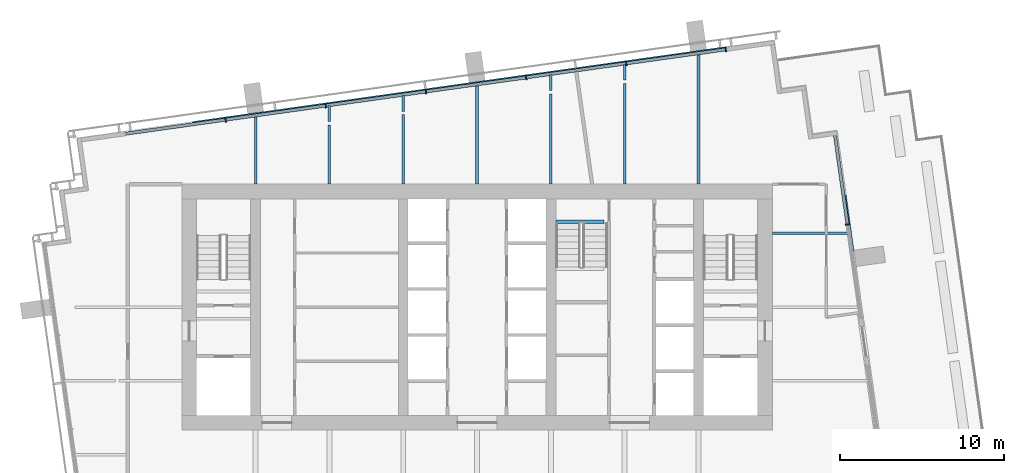
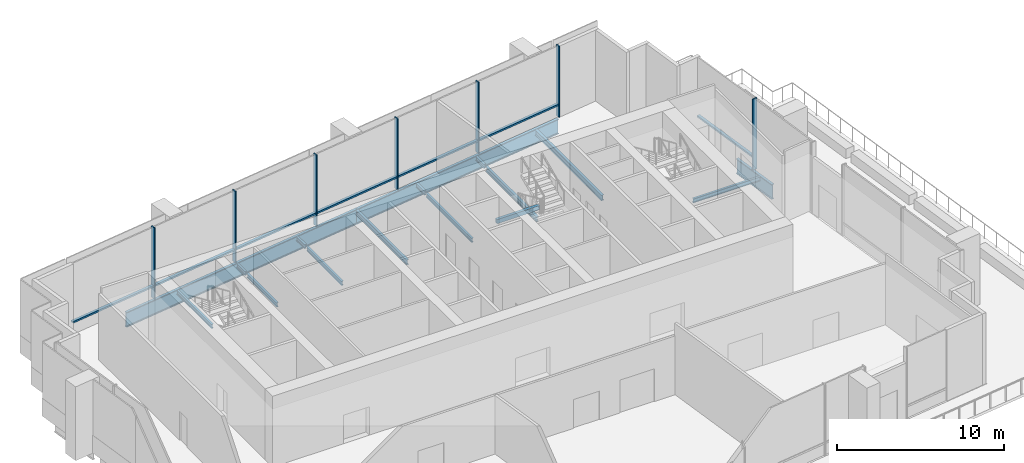
# One storey, part 4 of 14: 16 beams, 14 members, 2 elements without a shape of their own.
"""IFC4 building model written with IfcOpenShell, lengths in metres."""

from ifc_helpers import new_model, si_unit, direction, frame, origin, origin_2d, place, context, subcontext, project, spatial, rectangle, i_section, extrude, material, layer, layer_set, material_profile, profile_set, type_object, element, aggregate, save


model = new_model("IFC4")

# Units and contexts
model_context = context("Model", 3, precision=1e-05, world=origin(), true_north=direction((0.0, 1.0)))
body_context = subcontext(model_context, "Body", "Model", "MODEL_VIEW")
ifc_project = project(units=[si_unit("LENGTHUNIT", "METRE"), si_unit("AREAUNIT", "SQUARE_METRE"), si_unit("VOLUMEUNIT", "CUBIC_METRE"), si_unit("PLANEANGLEUNIT", "RADIAN"), si_unit("MASSUNIT", "GRAM", prefix="KILO")], contexts=[model_context])

# Site, building, storey
site_placement = place(None, origin())
site = spatial("IfcSite", under=ifc_project, at=site_placement, CompositionType="ELEMENT")
building_placement = place(site_placement, origin())
building = spatial("IfcBuilding", under=site, at=building_placement, Name="Rattan Terrace Tower", CompositionType="ELEMENT")
storey_placement = place(building_placement, frame((0.0, 0.0, 249.699951171875)))
storey = spatial("IfcBuildingStorey", under=building, at=storey_placement, Name="L57", CompositionType="ELEMENT", Elevation=249.699951171875)

# Beams
ifc_material_1 = material(Name="Concrete C40/50", Category="concrete")
ifc_material_profile_1 = material_profile(ifc_material_1, rectangle(XDim=0.199951171875, YDim=0.300048828125, at=origin_2d()), Name="RC 200x300")
ifc_profile_set_1 = profile_set([ifc_material_profile_1], Name="Concrete C40/50")
beam_type_1 = type_object("IfcBeamType", Name="Core landing beam RC 200x300", PredefinedType="BEAM", material=ifc_profile_set_1)
beam_1_placement = place(storey_placement, frame((4.800048828125, 5.199951171875, 2.35009765625), z_axis=(1.0, 0.0, 0.0), x_axis=(0.0, 1.0, 0.0)))
element("IfcBeam", 1, at=beam_1_placement, inside=storey, type_object=beam_type_1, Name="st-S3-L57 landing 2 edge beam", PredefinedType="BEAM", context=body_context, shape_type="SweptSolid", body=[
    extrude(rectangle(XDim=0.199951171875, YDim=0.300048828125, at=origin_2d()), origin(), (0.0, 0.0, 1.0), 2.949951171875),
])
ifc_material_2 = material(Name="Steel S460", Category="steel")
ifc_material_profile_2 = material_profile(ifc_material_2, i_section(OverallWidth=0.179931640625, OverallDepth=1.10009765625, WebThickness=0.01611328125, FlangeThickness=0.050048828125, at=origin_2d()), Name="PG 1100x180-16-50")
ifc_profile_set_2 = profile_set([ifc_material_profile_2], Name="Steel S460")
beam_type_2 = type_object("IfcBeamType", Name="Frame edge girder PG 1100x180-16-50", PredefinedType="SPANDREL", material=ifc_profile_set_2)
beam_2_placement = place(storey_placement, frame((22.89892578125, 3.39990234375, -0.75), z_axis=(-0.138859816372, 0.990312047487, 0.0), x_axis=(-0.990312047487, -0.138859816372, 0.0)))
element("IfcBeam", 2, at=beam_2_placement, inside=storey, type_object=beam_type_2, Name="gdr-L57-010", PredefinedType="SPANDREL", context=body_context, shape_type="SweptSolid", body=[
    extrude(i_section(OverallWidth=0.179931640625, OverallDepth=1.10009765625, WebThickness=0.01611328125, FlangeThickness=0.050048828125, at=origin_2d()), origin(), (0.0, 0.0, 1.0), 3.45654296875),
])
beam_3_placement = place(storey_placement, frame((-17.347900390625, 11.22900390625, -0.75), z_axis=(0.990275473288, 0.139120404699, 0.0), x_axis=(-0.139120404699, 0.990275473288, 0.0)))
element("IfcBeam", 3, at=beam_3_placement, inside=storey, type_object=beam_type_2, Name="gdr-L57-011", PredefinedType="SPANDREL", context=body_context, shape_type="SweptSolid", body=[
    extrude(i_section(OverallWidth=0.179931640625, OverallDepth=1.10009765625, WebThickness=0.01611328125, FlangeThickness=0.050048828125, at=origin_2d()), origin(), (0.0, 0.0, 1.0), 17.53125),
])
beam_4_placement = place(storey_placement, frame((15.18896484375, 15.801025390625, -0.75), z_axis=(-0.99026622182, -0.139186241857, 0.0), x_axis=(0.139186241857, -0.99026622182, 0.0)))
element("IfcBeam", 4, at=beam_4_placement, inside=storey, type_object=beam_type_2, Name="gdr-L57-012", PredefinedType="SPANDREL", context=body_context, shape_type="SweptSolid", body=[
    extrude(i_section(OverallWidth=0.179931640625, OverallDepth=1.10009765625, WebThickness=0.01611328125, FlangeThickness=0.050048828125, at=origin_2d()), origin(), (0.0, 0.0, 1.0), 15.3251953125),
])
ifc_material_3 = material(Name="Steel S355", Category="steel")
ifc_material_profile_3 = material_profile(ifc_material_3, i_section(OverallWidth=0.14990234375, OverallDepth=0.300048828125, WebThickness=0.007080078125, FlangeThickness=0.0107421875, FilletRadius=0.014892578125, at=origin_2d()), Name="IPE 300")
ifc_profile_set_3 = profile_set([ifc_material_profile_3], Name="Steel S355")
beam_type_3 = type_object("IfcBeamType", Name="Frame floor beam IPE 300", PredefinedType="JOIST", material=ifc_profile_set_3)
beam_5_placement = place(storey_placement, frame((18.0, 4.5, -0.349853515625), z_axis=(1.0, 0.0, 0.0), x_axis=(0.0, 1.0, 0.0)))
element("IfcBeam", 5, at=beam_5_placement, inside=storey, type_object=beam_type_3, Name="bm-L57-016", PredefinedType="JOIST", context=body_context, shape_type="SweptSolid", body=[
    extrude(i_section(OverallWidth=0.14990234375, OverallDepth=0.300048828125, WebThickness=0.007080078125, FlangeThickness=0.0107421875, FilletRadius=0.014892578125, at=origin_2d()), origin(), (0.0, 0.0, 1.0), 4.64306640625),
])
beam_6_placement = place(storey_placement, frame((-13.5, 7.5, -0.349853515625), z_axis=(0.0, 1.0, 0.0), x_axis=(-1.0, 0.0, 0.0)))
element("IfcBeam", 6, at=beam_6_placement, inside=storey, type_object=beam_type_3, Name="bm-L57-017", PredefinedType="JOIST", context=body_context, shape_type="SweptSolid", body=[
    extrude(i_section(OverallWidth=0.14990234375, OverallDepth=0.300048828125, WebThickness=0.007080078125, FlangeThickness=0.0107421875, FilletRadius=0.014892578125, at=origin_2d()), origin(), (0.0, 0.0, 1.0), 4.16796875),
])
beam_7_placement = place(storey_placement, frame((-9.0, 7.5, -0.349853515625), z_axis=(0.0, 1.0, 0.0), x_axis=(-1.0, 0.0, 0.0)))
element("IfcBeam", 7, at=beam_7_placement, inside=storey, type_object=beam_type_3, Name="bm-L57-018", PredefinedType="JOIST", context=body_context, shape_type="SweptSolid", body=[
    extrude(i_section(OverallWidth=0.14990234375, OverallDepth=0.300048828125, WebThickness=0.007080078125, FlangeThickness=0.0107421875, FilletRadius=0.014892578125, at=origin_2d()), origin(), (0.0, 0.0, 1.0), 3.60302734375),
])
beam_8_placement = place(storey_placement, frame((-4.5, 7.5, -0.349853515625), z_axis=(0.0, 1.0, 0.0), x_axis=(-1.0, 0.0, 0.0)))
element("IfcBeam", 8, at=beam_8_placement, inside=storey, type_object=beam_type_3, Name="bm-L57-019", PredefinedType="JOIST", context=body_context, shape_type="SweptSolid", body=[
    extrude(i_section(OverallWidth=0.14990234375, OverallDepth=0.300048828125, WebThickness=0.007080078125, FlangeThickness=0.0107421875, FilletRadius=0.014892578125, at=origin_2d()), origin(), (0.0, 0.0, 1.0), 4.235107421875),
])
beam_9_placement = place(storey_placement, frame((4.5, 7.5, -0.349853515625), z_axis=(0.0, 1.0, 0.0), x_axis=(-1.0, 0.0, 0.0)))
element("IfcBeam", 9, at=beam_9_placement, inside=storey, type_object=beam_type_3, Name="bm-L57-021", PredefinedType="JOIST", context=body_context, shape_type="SweptSolid", body=[
    extrude(i_section(OverallWidth=0.14990234375, OverallDepth=0.300048828125, WebThickness=0.007080078125, FlangeThickness=0.0107421875, FilletRadius=0.014892578125, at=origin_2d()), origin(), (0.0, 0.0, 1.0), 5.5),
])
for number, where, z_axis, x_axis, name in (
    (10, (-9.0, 11.304931640625, -0.349853515625), (0.0, 1.0, 0.0), (-1.0, 0.0, 0.0), "bm-L57-024"),
    (11, (-4.5, 11.93798828125, -0.349853515625), (0.0, 1.0, 0.0), (-1.0, 0.0, 0.0), "bm-L57-025"),
    (12, (4.5, 13.201904296875, -0.349853515625), (0.0, 1.0, 0.0), (-1.0, 0.0, 0.0), "bm-L57-026"),
    (13, (9.0, 13.8349609375, -0.349853515625), (0.0, 1.0, 0.0), (-1.0, 0.0, 0.0), "bm-L57-027"),
):
    element("IfcBeam", number, at=place(storey_placement, frame(where, z_axis=z_axis, x_axis=x_axis)), inside=storey, type_object=beam_type_3, Name=name, PredefinedType="JOIST", context=body_context, shape_type="SweptSolid", body=[
        extrude(i_section(OverallWidth=0.14990234375, OverallDepth=0.300048828125, WebThickness=0.007080078125, FlangeThickness=0.0107421875, FilletRadius=0.014892578125, at=origin_2d()), origin(), (0.0, 0.0, 1.0), 0.9951171875),
    ])
ifc_material_4 = material(Name="Steel S355", Category="steel")
ifc_material_profile_4 = material_profile(ifc_material_4, i_section(OverallWidth=0.169921875, OverallDepth=0.360107421875, WebThickness=0.008056640625, FlangeThickness=0.0126953125, FilletRadius=0.01806640625, at=origin_2d()), Name="IPE 360")
ifc_profile_set_4 = profile_set([ifc_material_profile_4], Name="Steel S355")
beam_type_4 = type_object("IfcBeamType", Name="Frame floor beam IPE 360", PredefinedType="JOIST", material=ifc_profile_set_4)
beam_10_placement = place(storey_placement, frame((0.0, 7.5, -0.3798828125), z_axis=(0.0, 1.0, 0.0), x_axis=(-1.0, 0.0, 0.0)))
element("IfcBeam", 14, at=beam_10_placement, inside=storey, type_object=beam_type_4, Name="bm-L57-020", PredefinedType="JOIST", context=body_context, shape_type="SweptSolid", body=[
    extrude(i_section(OverallWidth=0.169921875, OverallDepth=0.360107421875, WebThickness=0.008056640625, FlangeThickness=0.0126953125, FilletRadius=0.01806640625, at=origin_2d()), origin(), (0.0, 0.0, 1.0), 6.06298828125),
])
beam_11_placement = place(storey_placement, frame((9.0, 7.5, -0.3798828125), z_axis=(0.0, 1.0, 0.0), x_axis=(-1.0, 0.0, 0.0)))
element("IfcBeam", 15, at=beam_11_placement, inside=storey, type_object=beam_type_4, Name="bm-L57-022", PredefinedType="JOIST", context=body_context, shape_type="SweptSolid", body=[
    extrude(i_section(OverallWidth=0.169921875, OverallDepth=0.360107421875, WebThickness=0.008056640625, FlangeThickness=0.0126953125, FilletRadius=0.01806640625, at=origin_2d()), origin(), (0.0, 0.0, 1.0), 6.131103515625),
])
ifc_material_5 = material(Name="Steel S355", Category="steel")
ifc_material_profile_5 = material_profile(ifc_material_5, i_section(OverallWidth=0.179931640625, OverallDepth=0.39990234375, WebThickness=0.008544921875, FlangeThickness=0.013427734375, FilletRadius=0.02099609375, at=origin_2d()), Name="IPE 400")
ifc_profile_set_5 = profile_set([ifc_material_profile_5], Name="Steel S355")
beam_type_5 = type_object("IfcBeamType", Name="Frame floor beam IPE 400", PredefinedType="JOIST", material=ifc_profile_set_5)
beam_12_placement = place(storey_placement, frame((13.5, 7.5, -0.39990234375), z_axis=(0.0, 1.0, 0.0), x_axis=(-1.0, 0.0, 0.0)))
element("IfcBeam", 16, at=beam_12_placement, inside=storey, type_object=beam_type_5, Name="bm-L57-023", PredefinedType="JOIST", context=body_context, shape_type="SweptSolid", body=[
    extrude(i_section(OverallWidth=0.179931640625, OverallDepth=0.39990234375, WebThickness=0.008544921875, FlangeThickness=0.013427734375, FilletRadius=0.02099609375, at=origin_2d()), origin(), (0.0, 0.0, 1.0), 7.9599609375),
])

# Curtain wall, member
ifc_material_6 = material(Name="Steel fins, aluminium and glass", Category="steel")
ifc_layer = layer(ifc_material_6, 0.300048828125)
ifc_layer_set = layer_set([ifc_layer], Name="Sky Lobby Stick Curtain Wall")
curtain_wall_type = type_object("IfcCurtainWallType", Name="Sky Lobby Stick Curtain Wall", PredefinedType="NOTDEFINED", material=ifc_layer_set)
curtain_wall_1_placement = place(storey_placement, origin())
curtain_wall_1 = element("IfcCurtainWall", 17, at=curtain_wall_1_placement, inside=storey, type_object=curtain_wall_type, Name="Sky lobby curtain wall L57-2", PredefinedType="NOTDEFINED")
ifc_material_7 = material(Name="Steel S355", Category="steel")
ifc_material_profile_6 = material_profile(ifc_material_7, rectangle(XDim=0.080078125, YDim=0.300048828125, at=origin_2d()), Name="Steel S355 80x300")
ifc_profile_set_6 = profile_set([ifc_material_profile_6], Name="Steel S355")
member_type_1 = type_object("IfcMemberType", Name="Sky Lobby CW Fin 80x300", PredefinedType="MULLION", material=ifc_profile_set_6)
member_1_placement = place(storey_placement, frame((22.587890625, 5.03857421875, 0.0), z_axis=(0.0, 0.0, 1.0), x_axis=(-0.139191775431, 0.990265444036, 0.0)))
member_1 = element("IfcMember", 18, at=member_1_placement, type_object=member_type_1, Name="Mullion cwl-L57-002.2", PredefinedType="MULLION", context=body_context, shape_type="SweptSolid", body=[
    extrude(rectangle(XDim=0.080078125, YDim=0.300048828125, at=origin_2d()), origin(), (0.0, 0.0, 1.0), 5.199951171875),
])

# Curtain wall, members
curtain_wall_2_placement = place(storey_placement, origin())
curtain_wall_2 = element("IfcCurtainWall", 19, at=curtain_wall_2_placement, inside=storey, type_object=curtain_wall_type, Name="Sky lobby curtain wall L57-3", PredefinedType="NOTDEFINED")
member_2_placement = place(storey_placement, frame((15.16015625, 15.716064453125, 0.0), z_axis=(0.0, 0.0, 1.0), x_axis=(-0.990265894013, -0.139188574079, 0.0)))
member_2 = element("IfcMember", 20, at=member_2_placement, type_object=member_type_1, Name="Mullion cwl-L57-003.1", PredefinedType="MULLION", context=body_context, shape_type="SweptSolid", body=[
    extrude(rectangle(XDim=0.080078125, YDim=0.300048828125, at=origin_2d()), origin(), (0.0, 0.0, 1.0), 5.199951171875),
])
member_3_placement = place(storey_placement, frame((9.09375, 14.863525390625, 0.0), z_axis=(0.0, 0.0, 1.0), x_axis=(-0.990265894013, -0.139188574079, 0.0)))
member_3 = element("IfcMember", 21, at=member_3_placement, type_object=member_type_1, Name="Mullion cwl-L57-003.2", PredefinedType="MULLION", context=body_context, shape_type="SweptSolid", body=[
    extrude(rectangle(XDim=0.080078125, YDim=0.300048828125, at=origin_2d()), origin(), (0.0, 0.0, 1.0), 5.199951171875),
])
member_4_placement = place(storey_placement, frame((2.98779296875, 14.005126953125, 0.0), z_axis=(0.0, 0.0, 1.0), x_axis=(-0.990265894013, -0.139188574079, 0.0)))
member_4 = element("IfcMember", 22, at=member_4_placement, type_object=member_type_1, Name="Mullion cwl-L57-003.3", PredefinedType="MULLION", context=body_context, shape_type="SweptSolid", body=[
    extrude(rectangle(XDim=0.080078125, YDim=0.300048828125, at=origin_2d()), origin(), (0.0, 0.0, 1.0), 5.199951171875),
])
member_5_placement = place(storey_placement, frame((-3.1181640625, 13.14697265625, 0.0), z_axis=(0.0, 0.0, 1.0), x_axis=(-0.990265894013, -0.139188574079, 0.0)))
member_5 = element("IfcMember", 23, at=member_5_placement, type_object=member_type_1, Name="Mullion cwl-L57-003.4", PredefinedType="MULLION", context=body_context, shape_type="SweptSolid", body=[
    extrude(rectangle(XDim=0.080078125, YDim=0.300048828125, at=origin_2d()), origin(), (0.0, 0.0, 1.0), 5.199951171875),
])
member_6_placement = place(storey_placement, frame((-9.224365234375, 12.288818359375, 0.0), z_axis=(0.0, 0.0, 1.0), x_axis=(-0.990265894013, -0.139188574079, 0.0)))
member_6 = element("IfcMember", 24, at=member_6_placement, type_object=member_type_1, Name="Mullion cwl-L57-003.5", PredefinedType="MULLION", context=body_context, shape_type="SweptSolid", body=[
    extrude(rectangle(XDim=0.080078125, YDim=0.300048828125, at=origin_2d()), origin(), (0.0, 0.0, 1.0), 5.199951171875),
])
member_7_placement = place(storey_placement, frame((-15.330322265625, 11.430419921875, 0.0), z_axis=(0.0, 0.0, 1.0), x_axis=(-0.990265894013, -0.139188574079, 0.0)))
member_7 = element("IfcMember", 25, at=member_7_placement, type_object=member_type_1, Name="Mullion cwl-L57-003.6", PredefinedType="MULLION", context=body_context, shape_type="SweptSolid", body=[
    extrude(rectangle(XDim=0.080078125, YDim=0.300048828125, at=origin_2d()), origin(), (0.0, 0.0, 1.0), 5.199951171875),
])

# Member
ifc_material_8 = material(Name="Aluminium", Category="aluminium")
ifc_material_profile_7 = material_profile(ifc_material_8, rectangle(XDim=0.199951171875, YDim=0.1201171875, at=origin_2d()), Name="Aluminium 200x120")
ifc_profile_set_7 = profile_set([ifc_material_profile_7], Name="Aluminium")
member_type_2 = type_object("IfcMemberType", Name="Sky Lobby CW Transom 200x120", PredefinedType="USERDEFINED", material=ifc_profile_set_7)
member_8_placement = place(storey_placement, frame((22.582275390625, 5.078125, 0.900146484375), z_axis=(-0.139203966449, 0.990263730389, 0.0), x_axis=(-0.990263730389, -0.139203966449, 0.0)))
member_8 = element("IfcMember", 26, at=member_8_placement, type_object=member_type_2, Name="Transom cwl-L57-002.2", ObjectType="TRANSOM", PredefinedType="USERDEFINED", context=body_context, shape_type="SweptSolid", body=[
    extrude(rectangle(XDim=0.199951171875, YDim=0.1201171875, at=origin_2d()), origin(), (0.0, 0.0, 1.0), 5.442138671875),
])

aggregate(curtain_wall_1, [member_1, member_8])

member_9_placement = place(storey_placement, frame((15.120361328125, 15.71044921875, 0.900146484375), z_axis=(-0.990265190671, -0.139193577957, 0.0), x_axis=(0.139193577957, -0.990265190671, 0.0)))
member_9 = element("IfcMember", 27, at=member_9_placement, type_object=member_type_2, Name="Transom cwl-L57-003.1", ObjectType="TRANSOM", PredefinedType="USERDEFINED", context=body_context, shape_type="SweptSolid", body=[
    extrude(rectangle(XDim=0.199951171875, YDim=0.1201171875, at=origin_2d()), origin(), (0.0, 0.0, 1.0), 6.0458984375),
])

member_10_placement = place(storey_placement, frame((9.053955078125, 14.85791015625, 0.900146484375), z_axis=(-0.99026392454, -0.139202585301, 0.0), x_axis=(0.139202585301, -0.99026392454, 0.0)))
member_10 = element("IfcMember", 28, at=member_10_placement, type_object=member_type_2, Name="Transom cwl-L57-003.2", ObjectType="TRANSOM", PredefinedType="USERDEFINED", context=body_context, shape_type="SweptSolid", body=[
    extrude(rectangle(XDim=0.199951171875, YDim=0.1201171875, at=origin_2d()), origin(), (0.0, 0.0, 1.0), 6.0859375),
])

member_11_placement = place(storey_placement, frame((2.947998046875, 13.99951171875, 0.900146484375), z_axis=(-0.990269453674, -0.139163246295, 0.0), x_axis=(0.139163246295, -0.990269453674, 0.0)))
member_11 = element("IfcMember", 29, at=member_11_placement, type_object=member_type_2, Name="Transom cwl-L57-003.3", ObjectType="TRANSOM", PredefinedType="USERDEFINED", context=body_context, shape_type="SweptSolid", body=[
    extrude(rectangle(XDim=0.199951171875, YDim=0.1201171875, at=origin_2d()), origin(), (0.0, 0.0, 1.0), 6.0859375),
])

member_12_placement = place(storey_placement, frame((-3.157958984375, 13.141357421875, 0.900146484375), z_axis=(-0.99026392454, -0.139202585301, 0.0), x_axis=(0.139202585301, -0.99026392454, 0.0)))
member_12 = element("IfcMember", 30, at=member_12_placement, type_object=member_type_2, Name="Transom cwl-L57-003.4", ObjectType="TRANSOM", PredefinedType="USERDEFINED", context=body_context, shape_type="SweptSolid", body=[
    extrude(rectangle(XDim=0.199951171875, YDim=0.1201171875, at=origin_2d()), origin(), (0.0, 0.0, 1.0), 6.0859375),
])

member_13_placement = place(storey_placement, frame((-9.263916015625, 12.283203125, 0.900146484375), z_axis=(-0.99026392454, -0.139202585301, 0.0), x_axis=(0.139202585301, -0.99026392454, 0.0)))
member_13 = element("IfcMember", 31, at=member_13_placement, type_object=member_type_2, Name="Transom cwl-L57-003.5", ObjectType="TRANSOM", PredefinedType="USERDEFINED", context=body_context, shape_type="SweptSolid", body=[
    extrude(rectangle(XDim=0.199951171875, YDim=0.1201171875, at=origin_2d()), origin(), (0.0, 0.0, 1.0), 6.0859375),
])

member_14_placement = place(storey_placement, frame((-15.369873046875, 11.4248046875, 0.900146484375), z_axis=(-0.990265586885, -0.139190759146, 0.0), x_axis=(0.139190759146, -0.990265586885, 0.0)))
member_14 = element("IfcMember", 32, at=member_14_placement, type_object=member_type_2, Name="Transom cwl-L57-003.6", ObjectType="TRANSOM", PredefinedType="USERDEFINED", context=body_context, shape_type="SweptSolid", body=[
    extrude(rectangle(XDim=0.199951171875, YDim=0.1201171875, at=origin_2d()), origin(), (0.0, 0.0, 1.0), 6.130126953125),
])

aggregate(curtain_wall_2, [member_2, member_3, member_4, member_5, member_6, member_7, member_9, member_10, member_11, member_12, member_13, member_14])

save(model, "model.ifc")
